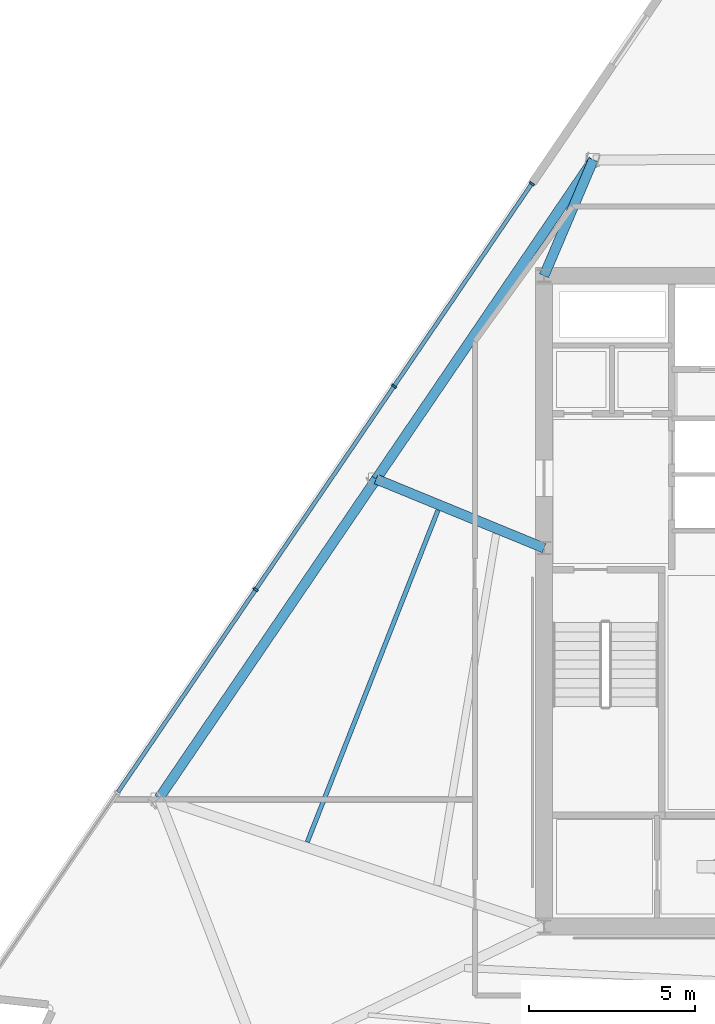
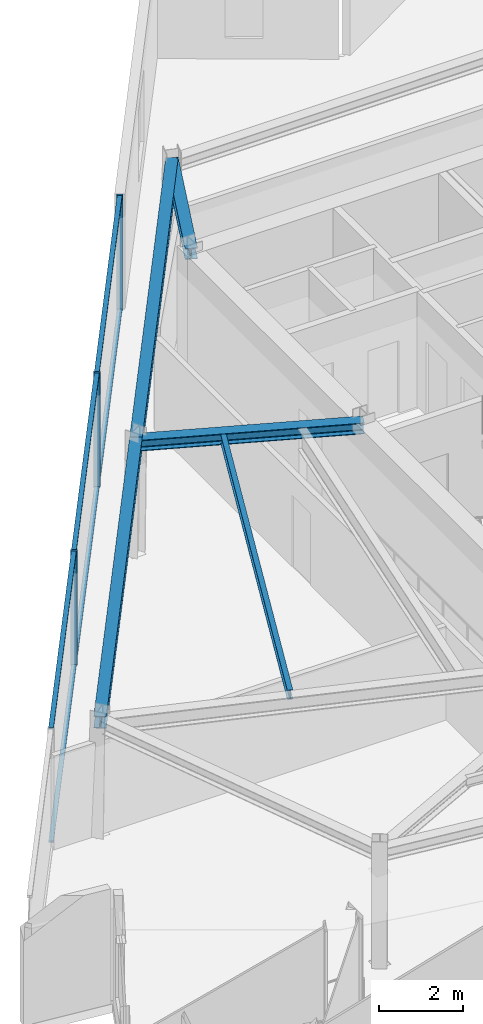
# One storey, part 4 of 14: 9 members, 5 beams, 1 element without a shape of its own.
"""IFC4 building model written with IfcOpenShell, lengths in metres."""

import ifcopenshell
import ifcopenshell.guid

model = None  # the IFC model being written
_history = None  # IfcOwnerHistory: only IFC2X3 demands one
_inside = {}  # id of a spatial element -> (the spatial element, [elements in it])
_under = {}  # id of a project, library or spatial element -> (it, [spatial elements below it])
_declared = {}  # id of a project -> (the project, [libraries it declares])
_typed = {}  # id of a type object -> (the type object, [elements of that type])
_made_of = {}  # id of a material, layer set ... -> (it, [elements and type objects made of it])


def new_model(schema):
    """Start an empty IFC model of exactly this schema.

    Asked for "IFC4X3", IfcOpenShell would pick the latest addendum, in which some entities
    have other attributes; the version numbers below select the first issue.
    IFC2X3 requires an IfcOwnerHistory on every rooted entity: one is made here for all.
    """
    global model, _history
    if schema == "IFC4X3":
        model = ifcopenshell.file(schema_version=(4, 3, 0, 0))
    else:
        model = ifcopenshell.file(schema=schema)
    _inside.clear()
    _under.clear()
    _declared.clear()
    _typed.clear()
    _made_of.clear()
    _history = None
    if model.schema == "IFC2X3":
        org = make("IfcOrganization", Name="unknown")
        user = make(
            "IfcPersonAndOrganization",
            ThePerson=make("IfcPerson", FamilyName="unknown"),
            TheOrganization=org,
        )
        app = make(
            "IfcApplication",
            ApplicationDeveloper=org,
            Version="unknown",
            ApplicationFullName="unknown",
            ApplicationIdentifier="unknown",
        )
        _history = make(
            "IfcOwnerHistory",
            OwningUser=user,
            OwningApplication=app,
            ChangeAction="ADDED",
            CreationDate=0,
        )
    return model


def make(cls, **values):
    """One entity of the class cls with the attributes given. An attribute that is None is left unset."""
    return model.create_entity(
        cls, **{name: value for name, value in values.items() if value is not None}
    )


def rooted(cls, **values):
    """An entity with a GlobalId (a new one), such as an element, a storey or a relation."""
    return make(cls, GlobalId=ifcopenshell.guid.new(), OwnerHistory=_history, **values)


def si_unit(unit_type, name, prefix=None):
    """IfcSIUnit, for example si_unit("LENGTHUNIT", "METRE", prefix="MILLI")."""
    return make("IfcSIUnit", UnitType=unit_type, Prefix=prefix, Name=name)


def assignment(units):
    """IfcUnitAssignment: the units of a project."""
    return None if units is None else make("IfcUnitAssignment", Units=units)


def point(xyz):
    """IfcCartesianPoint."""
    return None if xyz is None else make("IfcCartesianPoint", Coordinates=xyz)


def direction(xyz):
    """IfcDirection."""
    return None if xyz is None else make("IfcDirection", DirectionRatios=xyz)


def frame(location, z_axis=None, x_axis=None):
    """IfcAxis2Placement3D, a coordinate frame: its origin and axes. An axis left out is left unset."""
    return make(
        "IfcAxis2Placement3D",
        Location=point(location),
        Axis=direction(z_axis),
        RefDirection=direction(x_axis),
    )


def frame_2d(location, x_axis=None):
    """IfcAxis2Placement2D, a coordinate frame in the plane: its origin and x axis."""
    return make(
        "IfcAxis2Placement2D", Location=point(location), RefDirection=direction(x_axis)
    )


def origin():
    """The frame at (0, 0, 0) with its axes left unset."""
    return frame((0.0, 0.0, 0.0))


def origin_2d():
    """The frame at (0, 0) in the plane with its x axis left unset."""
    return frame_2d((0.0, 0.0))


def place(relative_to, where):
    """IfcLocalPlacement: puts the frame where relative to a parent placement (None: the world)."""
    return make(
        "IfcLocalPlacement", PlacementRelTo=relative_to, RelativePlacement=where
    )


def context(
    kind, dimensions, precision=None, world=None, true_north=None, identifier=None
):
    """IfcGeometricRepresentationContext, for example the 3D "Model" context."""
    return make(
        "IfcGeometricRepresentationContext",
        ContextIdentifier=identifier,
        ContextType=kind,
        CoordinateSpaceDimension=dimensions,
        Precision=precision,
        WorldCoordinateSystem=world,
        TrueNorth=true_north,
    )


def subcontext(parent, identifier, kind, view, scale=None):
    """IfcGeometricRepresentationSubContext, for example "Body" below "Model"."""
    return make(
        "IfcGeometricRepresentationSubContext",
        ContextIdentifier=identifier,
        ContextType=kind,
        ParentContext=parent,
        TargetScale=scale,
        TargetView=view,
    )


def project(units=None, contexts=None):
    """IfcProject with its units and contexts."""
    return rooted(
        "IfcProject",
        Name="project",
        RepresentationContexts=contexts,
        UnitsInContext=assignment(units),
    )


def spatial(cls, under=None, at=None, **own):
    """A site, building, storey or space (cls), placed at a placement, below another one or the project."""
    s = rooted(cls, ObjectPlacement=at, **own)
    if under is not None:
        _under.setdefault(under.id(), (under, []))[1].append(s)
    return s


def profile(cls, at=None, kind="AREA", **sizes):
    """A parametric profile (cls). Its sizes go by their IFC names, for example OverallWidth=200.0."""
    return make(cls, ProfileType=kind, Position=at, **sizes)


def rectangle(**sizes):
    """IfcRectangleProfileDef."""
    return profile("IfcRectangleProfileDef", **sizes)


def i_section(**sizes):
    """IfcIShapeProfileDef."""
    return profile("IfcIShapeProfileDef", **sizes)


def extrude(swept, where, along, depth):
    """IfcExtrudedAreaSolid: the profile swept, set in the frame where, extruded along a direction by depth."""
    return make(
        "IfcExtrudedAreaSolid",
        SweptArea=swept,
        Position=where,
        ExtrudedDirection=direction(along),
        Depth=depth,
    )


def shape(context_of_items, identifier, shape_type, items):
    """IfcShapeRepresentation: the items that make up one representation, for example the "Body"."""
    return make(
        "IfcShapeRepresentation",
        ContextOfItems=context_of_items,
        RepresentationIdentifier=identifier,
        RepresentationType=shape_type,
        Items=items,
    )


def material(Name=None, Category=None):
    """IfcMaterial."""
    return make("IfcMaterial", Name=Name, Category=Category)


def material_profile(
    of_material, cross_section, Name=None, Category=None, Priority=None
):
    """IfcMaterialProfile: a cross section and its material."""
    return make(
        "IfcMaterialProfile",
        Name=Name,
        Material=of_material,
        Profile=cross_section,
        Priority=Priority,
        Category=Category,
    )


def profile_set(profiles, Name=None, composite=None):
    """IfcMaterialProfileSet."""
    return make(
        "IfcMaterialProfileSet",
        Name=Name,
        MaterialProfiles=profiles,
        CompositeProfile=composite,
    )


def made_of(thing, what):
    """Note that an element or type object is made of a material, layer set ...; save() writes the relation."""
    if what is not None:
        _made_of.setdefault(what.id(), (what, []))[1].append(thing)
    return thing


def type_object(cls, material=None, **own):
    """A type object (cls), such as IfcWallType, which elements share."""
    return made_of(rooted(cls, **own), material)


def element(
    cls,
    number,
    at=None,
    inside=None,
    cuts=None,
    type_object=None,
    material=None,
    context=None,
    identifier="Body",
    shape_type=None,
    held_by="IfcProductDefinitionShape",
    body=None,
    shapes=None,
    **own,
):
    """One element of the class cls, such as IfcWall. Its Tag is "e" and its number.

    at: its placement. inside: the storey or other place that contains it. cuts: it is an
    opening in that element (IfcRelVoidsElement). A single representation is given by context,
    identifier, shape_type and body (its items); several are given by shapes. held_by: the class
    of the entity that holds the representations. save() writes the other relations.
    """
    e = rooted(cls, Tag="e%d" % number, ObjectPlacement=at, **own)
    if body is not None:
        shapes = [shape(context, identifier, shape_type, body)]
    if shapes is not None:
        e.Representation = make(held_by, Representations=shapes)
    if inside is not None:
        _inside.setdefault(inside.id(), (inside, []))[1].append(e)
    if cuts is not None:
        rooted(
            "IfcRelVoidsElement", RelatingBuildingElement=cuts, RelatedOpeningElement=e
        )
    if type_object is not None:
        _typed.setdefault(type_object.id(), (type_object, []))[1].append(e)
    return made_of(e, material)


def aggregate(whole, parts):
    """IfcRelAggregates: a whole, such as a stair, and the parts it consists of."""
    return rooted("IfcRelAggregates", RelatingObject=whole, RelatedObjects=parts)


def save(model, path):
    """Write the relations noted so far, then the file.

    IfcRelAggregates (storeys below a building ...), IfcRelContainedInSpatialStructure (elements
    in a storey), IfcRelDefinesByType, IfcRelAssociatesMaterial and IfcRelDeclares: one each for
    every whole, place, type object, material and project.
    """
    for whole, parts in _under.values():
        aggregate(whole, parts)
    for where, things in _inside.values():
        rooted(
            "IfcRelContainedInSpatialStructure",
            RelatedElements=things,
            RelatingStructure=where,
        )
    for kind, things in _typed.values():
        rooted("IfcRelDefinesByType", RelatedObjects=things, RelatingType=kind)
    for what, things in _made_of.values():
        rooted("IfcRelAssociatesMaterial", RelatedObjects=things, RelatingMaterial=what)
    for by, libraries in _declared.values():
        rooted("IfcRelDeclares", RelatingContext=by, RelatedDefinitions=libraries)
    model.write(path)


model = new_model("IFC4")

# Units and contexts
model_context = context("Model", 3, precision=1e-05, world=origin(), true_north=direction((0.0, 1.0)))
body_context = subcontext(model_context, "Body", "Model", "MODEL_VIEW")
ifc_project = project(units=[si_unit("LENGTHUNIT", "METRE"), si_unit("AREAUNIT", "SQUARE_METRE"), si_unit("VOLUMEUNIT", "CUBIC_METRE"), si_unit("PLANEANGLEUNIT", "RADIAN"), si_unit("MASSUNIT", "GRAM", prefix="KILO")], contexts=[model_context])

# Site, building, storey
site_placement = place(None, origin())
site = spatial("IfcSite", under=ifc_project, at=site_placement, CompositionType="ELEMENT")
building_placement = place(site_placement, origin())
building = spatial("IfcBuilding", under=site, at=building_placement, Name="Savorim Split Tower", CompositionType="ELEMENT")
storey_placement = place(building_placement, frame((0.0, 0.0, 230.699951171875)))
storey = spatial("IfcBuildingStorey", under=building, at=storey_placement, Name="L61", CompositionType="ELEMENT", Elevation=230.699951171875)

# Beams
ifc_material_1 = material(Name="Steel S355", Category="steel")
ifc_material_profile_1 = material_profile(ifc_material_1, i_section(OverallWidth=0.135009765625, OverallDepth=0.27001953125, WebThickness=0.006591796875, FlangeThickness=0.01025390625, FilletRadius=0.014892578125, at=origin_2d()), Name="IPE 270")
ifc_profile_set_1 = profile_set([ifc_material_profile_1], Name="Steel S355")
beam_type_1 = type_object("IfcBeamType", Name="BM-JST-IPE270", PredefinedType="JOIST", material=ifc_profile_set_1)
beam_1_placement = place(storey_placement, frame((-10.8935546875, 3.138916015625, 3.215087890625), z_axis=(-0.366514382199, -0.930412385795, 0.0), x_axis=(0.930412385795, -0.366514382199, 0.0)))
element("IfcBeam", 1, at=beam_1_placement, inside=storey, type_object=beam_type_1, Name="L61 Secondary Floor Joist JS-10", PredefinedType="JOIST", context=body_context, shape_type="SweptSolid", body=[
    extrude(i_section(OverallWidth=0.135009765625, OverallDepth=0.27001953125, WebThickness=0.006591796875, FlangeThickness=0.01025390625, FilletRadius=0.014892578125, at=origin_2d()), origin(), (0.0, 0.0, 1.0), 10.7412109375),
])
ifc_material_profile_2 = material_profile(ifc_material_1, i_section(OverallWidth=0.300048828125, OverallDepth=0.320068359375, WebThickness=0.011474609375, FlangeThickness=0.0205078125, FilletRadius=0.027099609375, at=origin_2d()), Name="HEB 320")
ifc_profile_set_2 = profile_set([ifc_material_profile_2], Name="Steel S355")
beam_type_2 = type_object("IfcBeamType", Name="BM-PRI-HEB320", PredefinedType="BEAM", material=ifc_profile_set_2)
beam_2_placement = place(storey_placement, frame((-6.217529296875, 13.68896484375, 3.18994140625), z_axis=(-0.391049268643, -0.920369746077, 0.0), x_axis=(0.920369746077, -0.391049268643, 0.0)))
element("IfcBeam", 2, at=beam_2_placement, inside=storey, type_object=beam_type_2, Name="L61 Primary Floor Girder RG-08", PredefinedType="BEAM", context=body_context, shape_type="SweptSolid", body=[
    extrude(i_section(OverallWidth=0.300048828125, OverallDepth=0.320068359375, WebThickness=0.011474609375, FlangeThickness=0.0205078125, FilletRadius=0.027099609375, at=origin_2d()), origin(), (0.0, 0.0, 1.0), 3.790771484375),
])
beam_3_placement = place(storey_placement, frame((-12.75634765625, 4.076904296875, 3.18994140625), z_axis=(0.92500888691, -0.379945468637, 0.0), x_axis=(0.379945468637, 0.92500888691, 0.0)))
element("IfcBeam", 3, at=beam_3_placement, inside=storey, type_object=beam_type_2, Name="L61 Primary Floor Girder RG-09", PredefinedType="BEAM", context=body_context, shape_type="SweptSolid", body=[
    extrude(i_section(OverallWidth=0.300048828125, OverallDepth=0.320068359375, WebThickness=0.011474609375, FlangeThickness=0.0205078125, FilletRadius=0.027099609375, at=origin_2d()), origin(), (0.0, 0.0, 1.0), 5.46630859375),
])
ifc_material_profile_3 = material_profile(ifc_material_1, i_section(OverallWidth=0.300048828125, OverallDepth=0.35009765625, WebThickness=0.010009765625, FlangeThickness=0.017578125, FilletRadius=0.027099609375, at=origin_2d()), Name="HEA 360")
ifc_profile_set_3 = profile_set([ifc_material_profile_3], Name="Steel S355")
beam_type_3 = type_object("IfcBeamType", Name="BM-SPN-HEA360", PredefinedType="SPANDREL", material=ifc_profile_set_3)
beam_4_placement = place(storey_placement, frame((-6.217529296875, 13.68896484375, 3.175048828125), z_axis=(-0.56246395613, -0.826821805503, 0.0), x_axis=(0.826821805503, -0.56246395613, 0.0)))
element("IfcBeam", 4, at=beam_4_placement, inside=storey, type_object=beam_type_3, Name="L61 Perimeter Spandrel Beam 8", PredefinedType="SPANDREL", context=body_context, shape_type="SweptSolid", body=[
    extrude(i_section(OverallWidth=0.300048828125, OverallDepth=0.35009765625, WebThickness=0.010009765625, FlangeThickness=0.017578125, FilletRadius=0.027099609375, at=origin_2d()), origin(), (0.0, 0.0, 1.0), 11.625244140625),
])
beam_5_placement = place(storey_placement, frame((-12.75634765625, 4.076904296875, 3.175048828125), z_axis=(-0.562473722831, -0.826815161402, 0.0), x_axis=(0.826815161402, -0.562473722831, 0.0)))
element("IfcBeam", 5, at=beam_5_placement, inside=storey, type_object=beam_type_3, Name="L61 Perimeter Spandrel Beam 9", PredefinedType="SPANDREL", context=body_context, shape_type="SweptSolid", body=[
    extrude(i_section(OverallWidth=0.300048828125, OverallDepth=0.35009765625, WebThickness=0.010009765625, FlangeThickness=0.017578125, FilletRadius=0.027099609375, at=origin_2d()), origin(), (0.0, 0.0, 1.0), 11.625),
])

# Curtain wall, members
ifc_material_2 = material(Name="Dark Ceramic-Fritted Insulated Glass", Category="glass")
curtain_wall_type = type_object("IfcCurtainWallType", Name="CW-TWR-FRIT-B", PredefinedType="NOTDEFINED", material=ifc_material_2)
curtain_wall_placement = place(storey_placement, origin())
curtain_wall = element("IfcCurtainWall", 6, at=curtain_wall_placement, inside=storey, type_object=curtain_wall_type, Name="L61 Curtain Wall CW-L61-WEST", PredefinedType="NOTDEFINED")
ifc_material_3 = material(Name="Charcoal Anodised Aluminium", Category="aluminium")
ifc_material_profile_4 = material_profile(ifc_material_3, rectangle(XDim=0.159912109375, YDim=0.06005859375, at=origin_2d()), Name="ALU-M 160x60")
ifc_profile_set_4 = profile_set([ifc_material_profile_4], Name="Charcoal Anodised Aluminium")
member_type_1 = type_object("IfcMemberType", Name="CWM-160x60", PredefinedType="MULLION", material=ifc_profile_set_4)
member_1_placement = place(storey_placement, frame((-8.0673828125, 12.9736328125, 0.0), z_axis=(0.0, 0.0, 1.0), x_axis=(0.826820024782, -0.562466573779, 0.0)))
member_1 = element("IfcMember", 7, at=member_1_placement, type_object=member_type_1, Name="CW-03 mullion 1", PredefinedType="MULLION", context=body_context, shape_type="SweptSolid", body=[
    extrude(rectangle(XDim=0.159912109375, YDim=0.06005859375, at=origin_2d()), origin(), (0.0, 0.0, 1.0), 3.35009765625),
])
member_2_placement = place(storey_placement, frame((-12.216796875, 6.873779296875, 0.0), z_axis=(0.0, 0.0, 1.0), x_axis=(0.826820024782, -0.562466573779, 0.0)))
member_2 = element("IfcMember", 8, at=member_2_placement, type_object=member_type_1, Name="CW-03 mullion 2", PredefinedType="MULLION", context=body_context, shape_type="SweptSolid", body=[
    extrude(rectangle(XDim=0.159912109375, YDim=0.06005859375, at=origin_2d()), origin(), (0.0, 0.0, 1.0), 3.35009765625),
])
member_3_placement = place(storey_placement, frame((-16.38330078125, 0.7490234375, 0.0), z_axis=(0.0, 0.0, 1.0), x_axis=(0.826820024782, -0.562466573779, 0.0)))
member_3 = element("IfcMember", 9, at=member_3_placement, type_object=member_type_1, Name="CW-03 mullion 3", PredefinedType="MULLION", context=body_context, shape_type="SweptSolid", body=[
    extrude(rectangle(XDim=0.159912109375, YDim=0.06005859375, at=origin_2d()), origin(), (0.0, 0.0, 1.0), 3.35009765625),
])
ifc_material_profile_5 = material_profile(ifc_material_3, rectangle(XDim=0.1201171875, YDim=0.050048828125, at=origin_2d()), Name="ALU-T 120x50")
ifc_profile_set_5 = profile_set([ifc_material_profile_5], Name="Charcoal Anodised Aluminium")
member_type_2 = type_object("IfcMemberType", Name="CWT-120x50", PredefinedType="USERDEFINED", material=ifc_profile_set_5)
member_4_placement = place(storey_placement, frame((-8.084228515625, 12.94873046875, 0.025146484375), z_axis=(-0.562452376398, -0.826829682755, 0.0), x_axis=(0.826829682755, -0.562452376398, 0.0)))
member_4 = element("IfcMember", 10, at=member_4_placement, type_object=member_type_2, Name="CW-03 transom 1.1", ObjectType="TRANSOM", PredefinedType="USERDEFINED", context=body_context, shape_type="SweptSolid", body=[
    extrude(rectangle(XDim=0.1201171875, YDim=0.050048828125, at=origin_2d()), origin(), (0.0, 0.0, 1.0), 7.3173828125),
])
member_5_placement = place(storey_placement, frame((-8.084228515625, 12.94873046875, 3.324951171875), z_axis=(-0.562452376398, -0.826829682755, 0.0), x_axis=(0.826829682755, -0.562452376398, 0.0)))
member_5 = element("IfcMember", 11, at=member_5_placement, type_object=member_type_2, Name="CW-03 transom 1.2", ObjectType="TRANSOM", PredefinedType="USERDEFINED", context=body_context, shape_type="SweptSolid", body=[
    extrude(rectangle(XDim=0.1201171875, YDim=0.050048828125, at=origin_2d()), origin(), (0.0, 0.0, 1.0), 7.3173828125),
])
member_6_placement = place(storey_placement, frame((-12.233642578125, 6.848876953125, 0.025146484375), z_axis=(-0.562481783671, -0.82680967764, 0.0), x_axis=(0.82680967764, -0.562481783671, 0.0)))
member_6 = element("IfcMember", 12, at=member_6_placement, type_object=member_type_2, Name="CW-03 transom 2.1", ObjectType="TRANSOM", PredefinedType="USERDEFINED", context=body_context, shape_type="SweptSolid", body=[
    extrude(rectangle(XDim=0.1201171875, YDim=0.050048828125, at=origin_2d()), origin(), (0.0, 0.0, 1.0), 7.347412109375),
])
member_7_placement = place(storey_placement, frame((-12.233642578125, 6.848876953125, 3.324951171875), z_axis=(-0.562481783671, -0.82680967764, 0.0), x_axis=(0.82680967764, -0.562481783671, 0.0)))
member_7 = element("IfcMember", 13, at=member_7_placement, type_object=member_type_2, Name="CW-03 transom 2.2", ObjectType="TRANSOM", PredefinedType="USERDEFINED", context=body_context, shape_type="SweptSolid", body=[
    extrude(rectangle(XDim=0.1201171875, YDim=0.050048828125, at=origin_2d()), origin(), (0.0, 0.0, 1.0), 7.347412109375),
])
member_8_placement = place(storey_placement, frame((-16.400146484375, 0.724365234375, 0.025146484375), z_axis=(-0.562466330854, -0.826820190039, 0.0), x_axis=(0.826820190039, -0.562466330854, 0.0)))
member_8 = element("IfcMember", 14, at=member_8_placement, type_object=member_type_2, Name="CW-03 transom 3.1", ObjectType="TRANSOM", PredefinedType="USERDEFINED", context=body_context, shape_type="SweptSolid", body=[
    extrude(rectangle(XDim=0.1201171875, YDim=0.050048828125, at=origin_2d()), origin(), (0.0, 0.0, 1.0), 7.34765625),
])
member_9_placement = place(storey_placement, frame((-16.400146484375, 0.724365234375, 3.324951171875), z_axis=(-0.562466330854, -0.826820190039, 0.0), x_axis=(0.826820190039, -0.562466330854, 0.0)))
member_9 = element("IfcMember", 15, at=member_9_placement, type_object=member_type_2, Name="CW-03 transom 3.2", ObjectType="TRANSOM", PredefinedType="USERDEFINED", context=body_context, shape_type="SweptSolid", body=[
    extrude(rectangle(XDim=0.1201171875, YDim=0.050048828125, at=origin_2d()), origin(), (0.0, 0.0, 1.0), 7.34765625),
])
aggregate(curtain_wall, [member_1, member_2, member_3, member_4, member_5, member_6, member_7, member_8, member_9])

save(model, "model.ifc")
